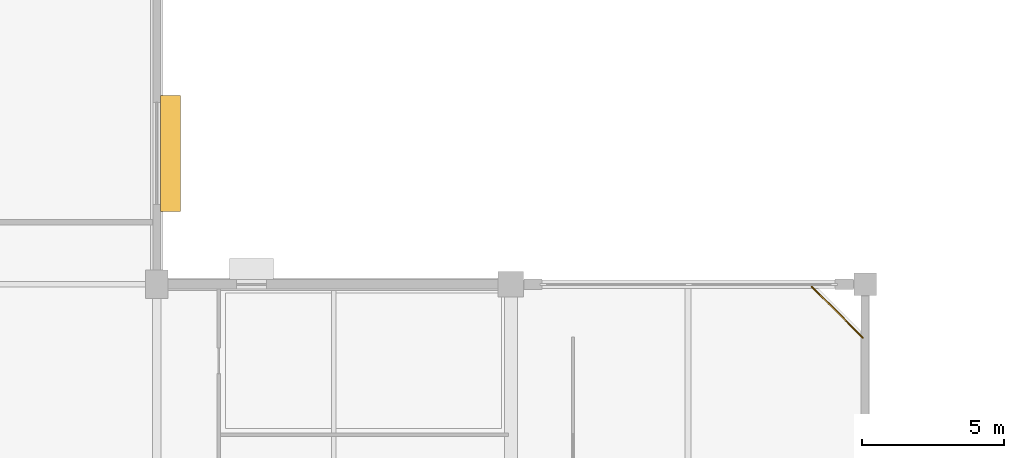
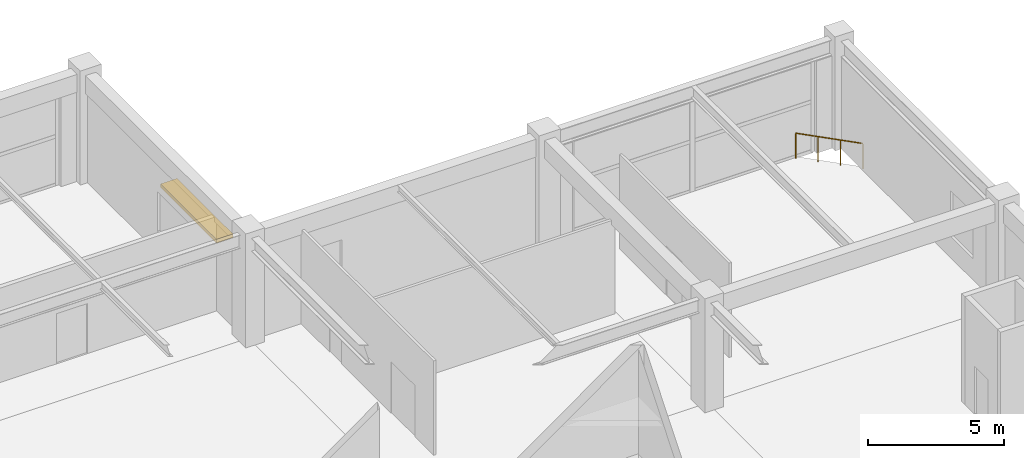
# One storey, part 116 of 116: 1 railing, 1 shading device.
"""IFC4 building model written with IfcOpenShell, lengths in metres."""

from ifc_helpers import new_model, si_unit, direction, frame, origin, origin_2d, place, context, subcontext, project, spatial, rectangle, circle, extrude, material, layer, layer_set, type_object, element, save


model = new_model("IFC4")

# Units and contexts
model_context = context("Model", 3, precision=1e-05, world=origin(), true_north=direction((0.0, 1.0)))
body_context = subcontext(model_context, "Body", "Model", "MODEL_VIEW")
ifc_project = project(units=[si_unit("LENGTHUNIT", "METRE"), si_unit("AREAUNIT", "SQUARE_METRE"), si_unit("VOLUMEUNIT", "CUBIC_METRE"), si_unit("PLANEANGLEUNIT", "RADIAN"), si_unit("MASSUNIT", "GRAM", prefix="KILO")], contexts=[model_context])

# Site, building, storey
site_placement = place(None, origin())
site = spatial("IfcSite", under=ifc_project, at=site_placement, CompositionType="ELEMENT")
building_placement = place(site_placement, origin())
building = spatial("IfcBuilding", under=site, at=building_placement, Name="Kazenohara Klinker Stadium", CompositionType="ELEMENT")
storey_placement = place(building_placement, frame((0.0, 0.0, 10.199951171875)))
storey = spatial("IfcBuildingStorey", under=building, at=storey_placement, Name="L02", CompositionType="ELEMENT", Elevation=10.199951171875)

# Railing
ifc_material_1 = material(Name="Galvanised powder-coated steel guardrail", Category="steel")
ifc_layer = layer(ifc_material_1, 0.070068359375)
ifc_layer_set = layer_set([ifc_layer], Name="Galvanised powder-coated steel guardrail")
railing_type = type_object("IfcRailingType", Name="RL-GRD-1150", PredefinedType="GUARDRAIL", material=ifc_layer_set)
railing_placement = place(storey_placement, frame((199.919921875, 154.1201171875, 0.0)))
element("IfcRailing", 1, at=railing_placement, inside=storey, type_object=railing_type, Name="Corner chamfer slab-edge guardrail GR01-SLB-L02-15-12", PredefinedType="GUARDRAIL", context=body_context, shape_type="SweptSolid", body=[
    extrude(circle(Radius=0.02392578125, at=origin_2d()), frame((0.0, 0.0, 1.1259765625), z_axis=(-0.707106781187, 0.707106781187, 0.0), x_axis=(-0.707106781187, -0.707106781187, 0.0)), (0.0, 0.0, 1.0), 2.54541015625),
    extrude(circle(Radius=0.02099609375, at=origin_2d()), origin(), (0.0, 0.0, 1.0), 1.101806640625),
    extrude(circle(Radius=0.02099609375, at=origin_2d()), frame((-0.599853515625, 0.599853515625, 0.0)), (0.0, 0.0, 1.0), 1.101806640625),
    extrude(circle(Radius=0.02099609375, at=origin_2d()), frame((-1.199951171875, 1.199951171875, 0.0)), (0.0, 0.0, 1.0), 1.101806640625),
    extrude(circle(Radius=0.02099609375, at=origin_2d()), frame((-1.7998046875, 1.7998046875, 0.0)), (0.0, 0.0, 1.0), 1.101806640625),
])

# Shading device
ifc_material_2 = material(Name="Bronze-anodised aluminium snow-hood sunshade", Category="aluminium")
shading_device_type = type_object("IfcShadingDeviceType", Name="SHD-SUN-01", PredefinedType="AWNING", material=ifc_material_2)
shading_device_placement = place(storey_placement, frame((175.485107421875, 160.6201171875, 2.64990234375), z_axis=(0.0, 0.0, 1.0), x_axis=(0.0, 1.0, 0.0)))
element("IfcShadingDevice", 2, at=shading_device_placement, inside=storey, type_object=shading_device_type, Name="Bronze snow-hood sunshade SS01-19", PredefinedType="AWNING", context=body_context, shape_type="SweptSolid", body=[
    extrude(rectangle(XDim=4.10009765625, YDim=0.699951171875, at=origin_2d()), origin(), (0.0, 0.0, 1.0), 0.159912109375),
])

save(model, "model.ifc")
